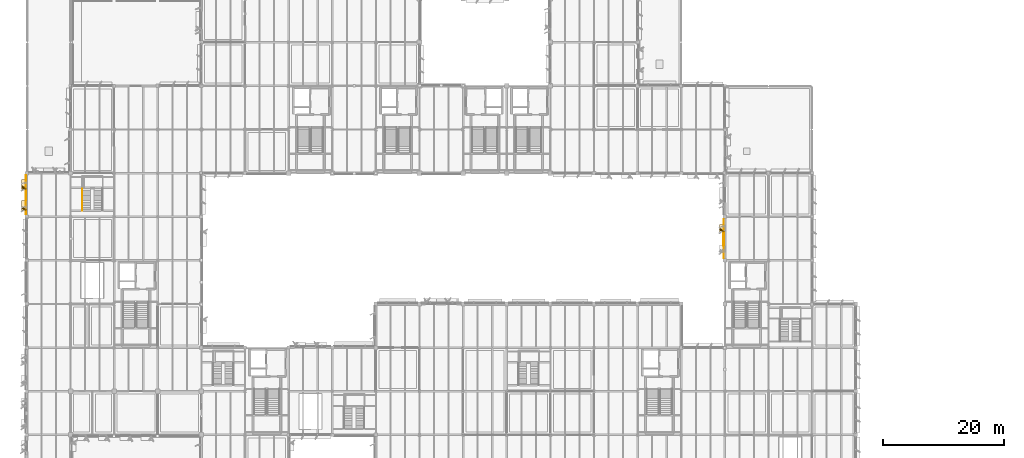
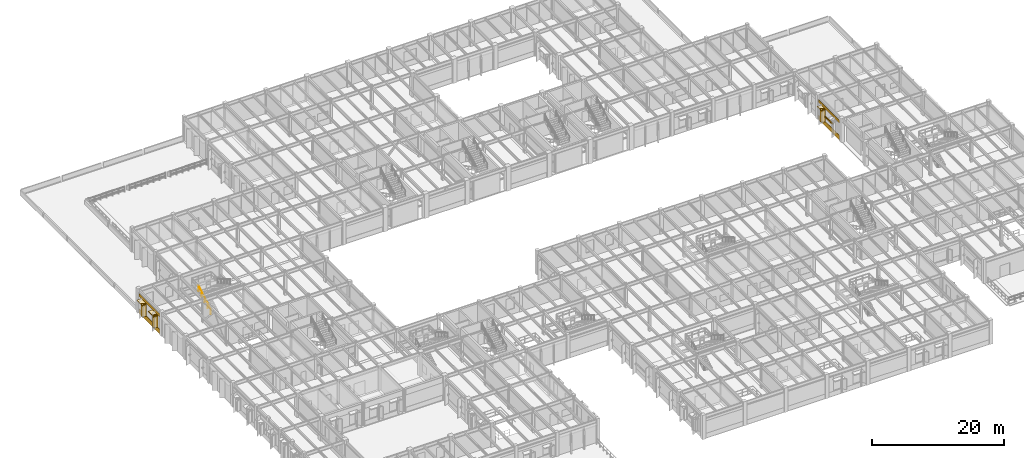
# One storey, part 85 of 92: 10 coverings, 1 railing, 1 shading device.
"""IFC4 building model written with IfcOpenShell, lengths in metres."""

from ifc_helpers import new_model, si_unit, direction, frame, frame_2d, origin, origin_2d, place, context, subcontext, project, spatial, rectangle, circle, extrude, material, layer, layer_set, type_object, element, save


model = new_model("IFC4")

# Units and contexts
model_context = context("Model", 3, precision=1e-05, world=origin(), true_north=direction((0.0, 1.0)))
body_context = subcontext(model_context, "Body", "Model", "MODEL_VIEW")
ifc_project = project(units=[si_unit("LENGTHUNIT", "METRE"), si_unit("AREAUNIT", "SQUARE_METRE"), si_unit("VOLUMEUNIT", "CUBIC_METRE"), si_unit("PLANEANGLEUNIT", "RADIAN"), si_unit("MASSUNIT", "GRAM", prefix="KILO")], contexts=[model_context])

# Site, building, storey
site_placement = place(None, origin())
site = spatial("IfcSite", under=ifc_project, at=site_placement, CompositionType="ELEMENT")
building_placement = place(site_placement, origin())
building = spatial("IfcBuilding", under=site, at=building_placement, Name="Sillqori Civic Hall", CompositionType="ELEMENT")
storey_placement = place(building_placement, frame((0.0, 0.0, 5.39990234375)))
storey = spatial("IfcBuildingStorey", under=building, at=storey_placement, Name="L02", CompositionType="ELEMENT", Elevation=5.39990234375)

# Coverings
ifc_material_1 = material(Name="Cochabamba Honed Limestone Cladding", Category="masonry")
ifc_layer_1 = layer(ifc_material_1, 0.044921875)
ifc_layer_set_1 = layer_set([ifc_layer_1], Name="Cochabamba Honed Limestone Cladding")
covering_type = type_object("IfcCoveringType", Name="COV-CLAD-LIME", PredefinedType="CLADDING", material=ifc_layer_set_1)
covering_1_placement = place(storey_placement, frame((7.050048828125, 72.3798828125, 0.0400390625), z_axis=(0.0, 0.0, 1.0), x_axis=(0.0, 1.0, 0.0)))
element("IfcCovering", 1, at=covering_1_placement, inside=storey, type_object=covering_type, Name="L02 limestone spandrel cladding L02-01-10-W", PredefinedType="CLADDING", context=body_context, shape_type="SweptSolid", body=[
    extrude(rectangle(XDim=6.440185546875, YDim=0.044921875, at=frame_2d((3.22021484375, 0.0))), origin(), (0.0, 0.0, 1.0), 0.860107421875),
])
covering_2_placement = place(storey_placement, frame((7.050048828125, 72.3798828125, 3.22021484375), z_axis=(0.0, 0.0, 1.0), x_axis=(0.0, 1.0, 0.0)))
element("IfcCovering", 2, at=covering_2_placement, inside=storey, type_object=covering_type, Name="L02 limestone frieze cladding L02-01-10-W", PredefinedType="CLADDING", context=body_context, shape_type="SweptSolid", body=[
    extrude(rectangle(XDim=6.440185546875, YDim=0.044921875, at=frame_2d((3.22021484375, 0.0))), origin(), (0.0, 0.0, 1.0), 0.5068359375),
])
covering_3_placement = place(storey_placement, frame((7.090087890625, 73.114013671875, 0.830078125), z_axis=(0.0, 0.0, 1.0), x_axis=(-0.865989465428, 0.500062241894, 0.0)))
element("IfcCovering", 3, at=covering_3_placement, inside=storey, type_object=covering_type, Name="Sawtooth limestone angled reveal cheek L02-01-10-W.1", PredefinedType="CLADDING", context=body_context, shape_type="SweptSolid", body=[
    extrude(rectangle(XDim=0.85009765625, YDim=0.179931640625, at=frame_2d((0.425048828125, 0.0))), origin(), (0.0, 0.0, 1.0), 2.300048828125),
])
covering_4_placement = place(storey_placement, frame((6.7099609375, 73.053955078125, 2.989990234375), z_axis=(0.0, 0.0, 1.0), x_axis=(0.0, 1.0, 0.0)))
element("IfcCovering", 4, at=covering_4_placement, inside=storey, type_object=covering_type, Name="Sawtooth limestone window hood L02-01-10-W.1", PredefinedType="CLADDING", context=body_context, shape_type="SweptSolid", body=[
    extrude(rectangle(XDim=1.66015625, YDim=0.780029296875, at=frame_2d((0.830078125, 0.0))), origin(), (0.0, 0.0, 1.0), 0.14013671875),
])
covering_5_placement = place(storey_placement, frame((7.090087890625, 76.5458984375, 0.830078125), z_axis=(0.0, 0.0, 1.0), x_axis=(-0.865989465428, 0.500062241894, 0.0)))
element("IfcCovering", 5, at=covering_5_placement, inside=storey, type_object=covering_type, Name="Sawtooth limestone angled reveal cheek L02-01-10-W.2", PredefinedType="CLADDING", context=body_context, shape_type="SweptSolid", body=[
    extrude(rectangle(XDim=0.85009765625, YDim=0.179931640625, at=frame_2d((0.425048828125, 0.0))), origin(), (0.0, 0.0, 1.0), 2.300048828125),
])
covering_6_placement = place(storey_placement, frame((6.7099609375, 76.486083984375, 2.989990234375), z_axis=(0.0, 0.0, 1.0), x_axis=(0.0, 1.0, 0.0)))
element("IfcCovering", 6, at=covering_6_placement, inside=storey, type_object=covering_type, Name="Sawtooth limestone window hood L02-01-10-W.2", PredefinedType="CLADDING", context=body_context, shape_type="SweptSolid", body=[
    extrude(rectangle(XDim=1.659912109375, YDim=0.780029296875, at=frame_2d((0.830078125, 0.0))), origin(), (0.0, 0.0, 1.0), 0.14013671875),
])
covering_7_placement = place(storey_placement, frame((122.22998046875, 65.179931640625, 0.0400390625), z_axis=(0.0, 0.0, 1.0), x_axis=(0.0, 1.0, 0.0)))
element("IfcCovering", 7, at=covering_7_placement, inside=storey, type_object=covering_type, Name="L02 limestone spandrel cladding L02-17-09-W", PredefinedType="CLADDING", context=body_context, shape_type="SweptSolid", body=[
    extrude(rectangle(XDim=6.440185546875, YDim=0.044921875, at=frame_2d((3.22021484375, 0.0))), origin(), (0.0, 0.0, 1.0), 0.860107421875),
])
covering_8_placement = place(storey_placement, frame((122.22998046875, 65.179931640625, 3.22021484375), z_axis=(0.0, 0.0, 1.0), x_axis=(0.0, 1.0, 0.0)))
element("IfcCovering", 8, at=covering_8_placement, inside=storey, type_object=covering_type, Name="L02 limestone frieze cladding L02-17-09-W", PredefinedType="CLADDING", context=body_context, shape_type="SweptSolid", body=[
    extrude(rectangle(XDim=6.440185546875, YDim=0.044921875, at=frame_2d((3.22021484375, 0.0))), origin(), (0.0, 0.0, 1.0), 0.5068359375),
])
covering_9_placement = place(storey_placement, frame((122.27001953125, 69.5458984375, 0.830078125), z_axis=(0.0, 0.0, 1.0), x_axis=(-0.865989465428, 0.500062241894, 0.0)))
element("IfcCovering", 9, at=covering_9_placement, inside=storey, type_object=covering_type, Name="Sawtooth limestone angled reveal cheek L02-17-09-W.2", PredefinedType="CLADDING", context=body_context, shape_type="SweptSolid", body=[
    extrude(rectangle(XDim=0.85009765625, YDim=0.179931640625, at=frame_2d((0.425048828125, 0.0))), origin(), (0.0, 0.0, 1.0), 2.39990234375),
])
covering_10_placement = place(storey_placement, frame((121.889892578125, 69.486083984375, 3.090087890625), z_axis=(0.0, 0.0, 1.0), x_axis=(0.0, 1.0, 0.0)))
element("IfcCovering", 10, at=covering_10_placement, inside=storey, type_object=covering_type, Name="Sawtooth limestone window hood L02-17-09-W.2", PredefinedType="CLADDING", context=body_context, shape_type="SweptSolid", body=[
    extrude(rectangle(XDim=1.260009765625, YDim=0.780029296875, at=frame_2d((0.6298828125, 0.0))), origin(), (0.0, 0.0, 1.0), 0.139892578125),
])

# Railing
ifc_material_2 = material(Name="Brushed Stainless Steel 316 Handrail", Category="steel")
ifc_layer_2 = layer(ifc_material_2, 0.044921875)
ifc_layer_set_2 = layer_set([ifc_layer_2], Name="Brushed Stainless Steel 316 Handrail")
railing_type = type_object("IfcRailingType", Name="RLG-CORE-092", PredefinedType="HANDRAIL", material=ifc_layer_set_2)
railing_placement = place(storey_placement, frame((16.320068359375, 73.0, 0.160888671875)))
element("IfcRailing", 11, at=railing_placement, inside=storey, type_object=railing_type, Name="West Committee Upper Stair L02-L03 handrail W", PredefinedType="HANDRAIL", context=body_context, shape_type="SweptSolid", body=[
    extrude(circle(Radius=0.02392578125, at=origin_2d()), frame((0.0, 0.0, 0.89599609375), z_axis=(0.0, 0.867300072446, 0.497785681127), x_axis=(-1.0, 0.0, 0.0)), (0.0, 0.0, 1.0), 4.19677734375),
    extrude(circle(Radius=0.02099609375, at=origin_2d()), origin(), (0.0, 0.0, 1.0), 0.871826171875),
    extrude(circle(Radius=0.02099609375, at=origin_2d()), frame((0.0, 0.909912109375, 0.522216796875)), (0.0, 0.0, 1.0), 0.871826171875),
    extrude(circle(Radius=0.02099609375, at=origin_2d()), frame((0.0, 1.81982421875, 1.04443359375)), (0.0, 0.0, 1.0), 0.871826171875),
    extrude(circle(Radius=0.02099609375, at=origin_2d()), frame((0.0, 2.72998046875, 1.56689453125)), (0.0, 0.0, 1.0), 0.871826171875),
    extrude(circle(Radius=0.02099609375, at=origin_2d()), frame((0.0, 3.639892578125, 2.089111328125)), (0.0, 0.0, 1.0), 0.871826171875),
])

# Shading device
ifc_material_3 = material(Name="Anodized Aluminium Solar Control Louvre", Category="aluminium")
shading_device_type = type_object("IfcShadingDeviceType", Name="SHD-CLAU-240", PredefinedType="SHUTTER", material=ifc_material_3)
shading_device_placement = place(storey_placement, frame((122.18994140625, 68.39990234375, 1.8134765625), z_axis=(0.0, 0.0, 1.0), x_axis=(0.0, 1.0, 0.0)))
element("IfcShadingDevice", 12, at=shading_device_placement, inside=storey, type_object=shading_device_type, Name="L02 pierced claustra screen L02-17-09-W", PredefinedType="SHUTTER", context=body_context, shape_type="SweptSolid", body=[
    extrude(rectangle(XDim=2.39990234375, YDim=0.159912109375, at=origin_2d()), origin(), (0.0, 0.0, 1.0), 0.139892578125),
])

save(model, "model.ifc")
